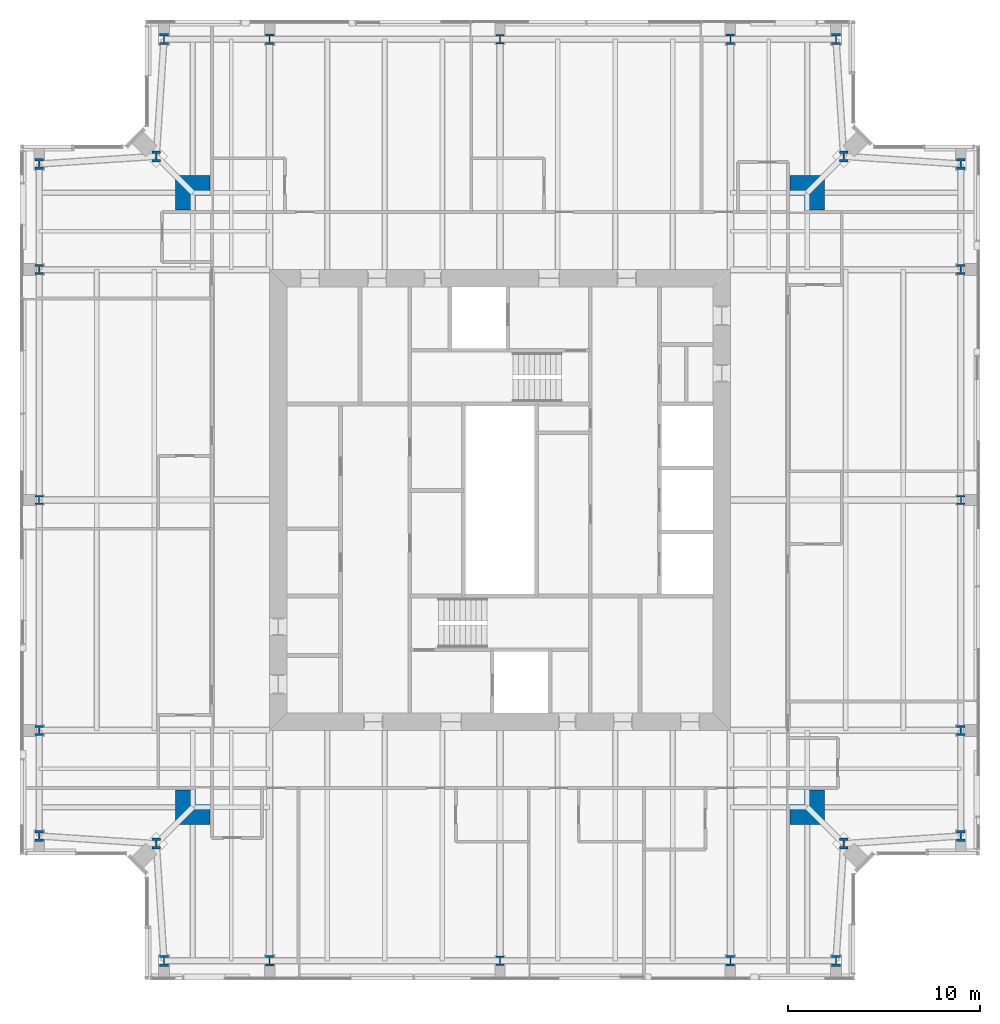
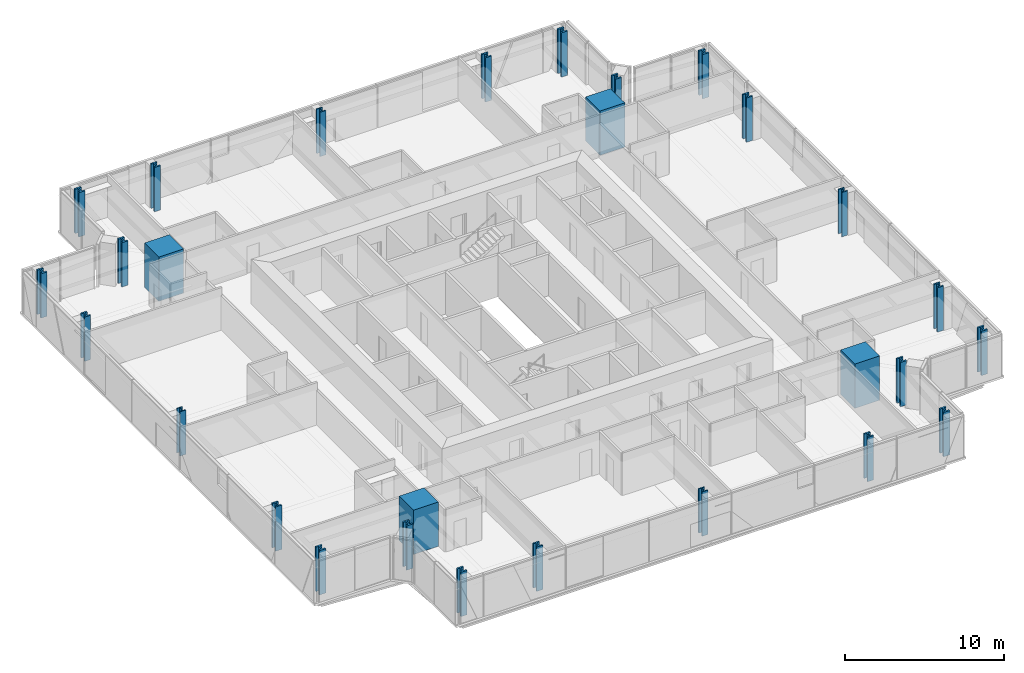
# One storey, part 1 of 20: 28 columns.
"""IFC4 building model written with IfcOpenShell, lengths in metres."""

from ifc_helpers import new_model, si_unit, direction, frame, origin, origin_2d, place, context, subcontext, project, spatial, rectangle, i_section, extrude, material, material_profile, profile_set, type_object, element, save


model = new_model("IFC4")

# Units and contexts
model_context = context("Model", 3, precision=1e-05, world=origin(), true_north=direction((0.0, 1.0)))
body_context = subcontext(model_context, "Body", "Model", "MODEL_VIEW")
ifc_project = project(units=[si_unit("LENGTHUNIT", "METRE"), si_unit("AREAUNIT", "SQUARE_METRE"), si_unit("VOLUMEUNIT", "CUBIC_METRE"), si_unit("PLANEANGLEUNIT", "RADIAN"), si_unit("MASSUNIT", "GRAM", prefix="KILO")], contexts=[model_context])

# Site, building, storey
site_placement = place(None, origin())
site = spatial("IfcSite", under=ifc_project, at=site_placement, CompositionType="ELEMENT")
building_placement = place(site_placement, origin())
building = spatial("IfcBuilding", under=site, at=building_placement, Name="Fenwick Lantern Interchange", CompositionType="ELEMENT")
storey_placement = place(building_placement, frame((0.0, 0.0, 276.39990234375)))
storey = spatial("IfcBuildingStorey", under=building, at=storey_placement, Name="L66", CompositionType="ELEMENT", Elevation=276.39990234375)

# Columns
ifc_material_1 = material(Name="Concrete f'c 70 MPa", Category="concrete")
ifc_material_profile_1 = material_profile(ifc_material_1, rectangle(XDim=1.800048828125, YDim=1.800048828125, at=origin_2d()), Name="RC1800X1800")
ifc_profile_set_1 = profile_set([ifc_material_profile_1], Name="Concrete f'c 70 MPa")
column_type_1 = type_object("IfcColumnType", Name="MEGA COLUMN RC1800X1800", PredefinedType="COLUMN", material=ifc_profile_set_1)
for number, where, z_axis, x_axis, name in (
    (1, (9.0, 9.0, 0.0), (0.0, 0.0, 1.0), (1.0, 0.0, 0.0), "L66/M1"),
    (2, (41.0, 9.0, 0.0), (0.0, 0.0, 1.0), (1.0, 0.0, 0.0), "L66/M2"),
    (3, (41.0, 41.0, 0.0), (0.0, 0.0, 1.0), (1.0, 0.0, 0.0), "L66/M3"),
    (4, (9.0, 41.0, 0.0), (0.0, 0.0, 1.0), (1.0, 0.0, 0.0), "L66/M4"),
):
    element("IfcColumn", number, at=place(storey_placement, frame(where, z_axis=z_axis, x_axis=x_axis)), inside=storey, type_object=column_type_1, Name=name, PredefinedType="COLUMN", context=body_context, shape_type="SweptSolid", body=[
        extrude(rectangle(XDim=1.800048828125, YDim=1.800048828125, at=origin_2d()), origin(), (0.0, 0.0, 1.0), 3.400146484375),
    ])
ifc_material_2 = material(Name="Steel ASTM A992 Grade 50", Category="steel")
ifc_material_profile_2 = material_profile(ifc_material_2, i_section(OverallWidth=0.424072265625, OverallDepth=0.47509765625, WebThickness=0.0478515625, FlangeThickness=0.0771484375, at=origin_2d()), Name="W14X426")
ifc_profile_set_2 = profile_set([ifc_material_profile_2], Name="Steel ASTM A992 Grade 50")
column_type_2 = type_object("IfcColumnType", Name="PERIMETER COLUMN W14X426", PredefinedType="COLUMN", material=ifc_profile_set_2)
for number, where, z_axis, x_axis, name in (
    (5, (25.0, 1.0, 0.0), (0.0, 0.0, 1.0), (1.0, 0.0, 0.0), "L66/CS3"),
    (6, (49.0, 25.0, 0.0), (0.0, 0.0, 1.0), (1.0, 0.0, 0.0), "L66/CE3"),
    (7, (25.0, 49.0, 0.0), (0.0, 0.0, 1.0), (1.0, 0.0, 0.0), "L66/CN3"),
    (8, (1.0, 25.0, 0.0), (0.0, 0.0, 1.0), (1.0, 0.0, 0.0), "L66/CW3"),
):
    element("IfcColumn", number, at=place(storey_placement, frame(where, z_axis=z_axis, x_axis=x_axis)), inside=storey, type_object=column_type_2, Name=name, PredefinedType="COLUMN", context=body_context, shape_type="SweptSolid", body=[
        extrude(i_section(OverallWidth=0.424072265625, OverallDepth=0.47509765625, WebThickness=0.0478515625, FlangeThickness=0.0771484375, at=origin_2d()), origin(), (0.0, 0.0, 1.0), 3.400146484375),
    ])
ifc_material_profile_3 = material_profile(ifc_material_2, i_section(OverallWidth=0.44189453125, OverallDepth=0.53076171875, WebThickness=0.06591796875, FlangeThickness=0.105712890625, at=origin_2d()), Name="W14X605")
ifc_profile_set_3 = profile_set([ifc_material_profile_3], Name="Steel ASTM A992 Grade 50")
column_type_3 = type_object("IfcColumnType", Name="PERIMETER COLUMN W14X605", PredefinedType="COLUMN", material=ifc_profile_set_3)
for number, where, z_axis, x_axis, name in (
    (9, (13.0, 1.0, 0.0), (0.0, 0.0, 1.0), (1.0, 0.0, 0.0), "L66/CS2"),
    (10, (37.0, 1.0, 0.0), (0.0, 0.0, 1.0), (1.0, 0.0, 0.0), "L66/CS4"),
    (11, (49.0, 13.0, 0.0), (0.0, 0.0, 1.0), (1.0, 0.0, 0.0), "L66/CE2"),
    (12, (49.0, 37.0, 0.0), (0.0, 0.0, 1.0), (1.0, 0.0, 0.0), "L66/CE4"),
    (13, (37.0, 49.0, 0.0), (0.0, 0.0, 1.0), (1.0, 0.0, 0.0), "L66/CN2"),
    (14, (13.0, 49.0, 0.0), (0.0, 0.0, 1.0), (1.0, 0.0, 0.0), "L66/CN4"),
    (15, (1.0, 37.0, 0.0), (0.0, 0.0, 1.0), (1.0, 0.0, 0.0), "L66/CW2"),
    (16, (1.0, 13.0, 0.0), (0.0, 0.0, 1.0), (1.0, 0.0, 0.0), "L66/CW4"),
):
    element("IfcColumn", number, at=place(storey_placement, frame(where, z_axis=z_axis, x_axis=x_axis)), inside=storey, type_object=column_type_3, Name=name, PredefinedType="COLUMN", context=body_context, shape_type="SweptSolid", body=[
        extrude(i_section(OverallWidth=0.44189453125, OverallDepth=0.53076171875, WebThickness=0.06591796875, FlangeThickness=0.105712890625, at=origin_2d()), origin(), (0.0, 0.0, 1.0), 3.400146484375),
    ])
ifc_material_profile_4 = material_profile(ifc_material_2, i_section(OverallWidth=0.45458984375, OverallDepth=0.56884765625, WebThickness=0.077880859375, FlangeThickness=0.124755859375, at=origin_2d()), Name="W14X730")
ifc_profile_set_4 = profile_set([ifc_material_profile_4], Name="Steel ASTM A992 Grade 50")
column_type_4 = type_object("IfcColumnType", Name="PERIMETER COLUMN W14X730", PredefinedType="COLUMN", material=ifc_profile_set_4)
for number, where, z_axis, x_axis, name in (
    (17, (7.5, 1.0, 0.0), (0.0, 0.0, 1.0), (1.0, 0.0, 0.0), "L66/CS1"),
    (18, (42.5, 1.0, 0.0), (0.0, 0.0, 1.0), (1.0, 0.0, 0.0), "L66/CS5"),
    (19, (42.89990234375, 7.10009765625, 0.0), (0.0, 0.0, 1.0), (1.0, 0.0, 0.0), "L66/CSR"),
    (20, (49.0, 7.5, 0.0), (0.0, 0.0, 1.0), (1.0, 0.0, 0.0), "L66/CE1"),
    (21, (49.0, 42.5, 0.0), (0.0, 0.0, 1.0), (1.0, 0.0, 0.0), "L66/CE5"),
    (22, (42.89990234375, 42.89990234375, 0.0), (0.0, 0.0, 1.0), (1.0, 0.0, 0.0), "L66/CER"),
    (23, (42.5, 49.0, 0.0), (0.0, 0.0, 1.0), (1.0, 0.0, 0.0), "L66/CN1"),
    (24, (7.5, 49.0, 0.0), (0.0, 0.0, 1.0), (1.0, 0.0, 0.0), "L66/CN5"),
    (25, (7.10009765625, 42.89990234375, 0.0), (0.0, 0.0, 1.0), (1.0, 0.0, 0.0), "L66/CNR"),
    (26, (1.0, 42.5, 0.0), (0.0, 0.0, 1.0), (1.0, 0.0, 0.0), "L66/CW1"),
    (27, (1.0, 7.5, 0.0), (0.0, 0.0, 1.0), (1.0, 0.0, 0.0), "L66/CW5"),
    (28, (7.10009765625, 7.10009765625, 0.0), (0.0, 0.0, 1.0), (1.0, 0.0, 0.0), "L66/CWR"),
):
    element("IfcColumn", number, at=place(storey_placement, frame(where, z_axis=z_axis, x_axis=x_axis)), inside=storey, type_object=column_type_4, Name=name, PredefinedType="COLUMN", context=body_context, shape_type="SweptSolid", body=[
        extrude(i_section(OverallWidth=0.45458984375, OverallDepth=0.56884765625, WebThickness=0.077880859375, FlangeThickness=0.124755859375, at=origin_2d()), origin(), (0.0, 0.0, 1.0), 3.400146484375),
    ])

save(model, "model.ifc")
